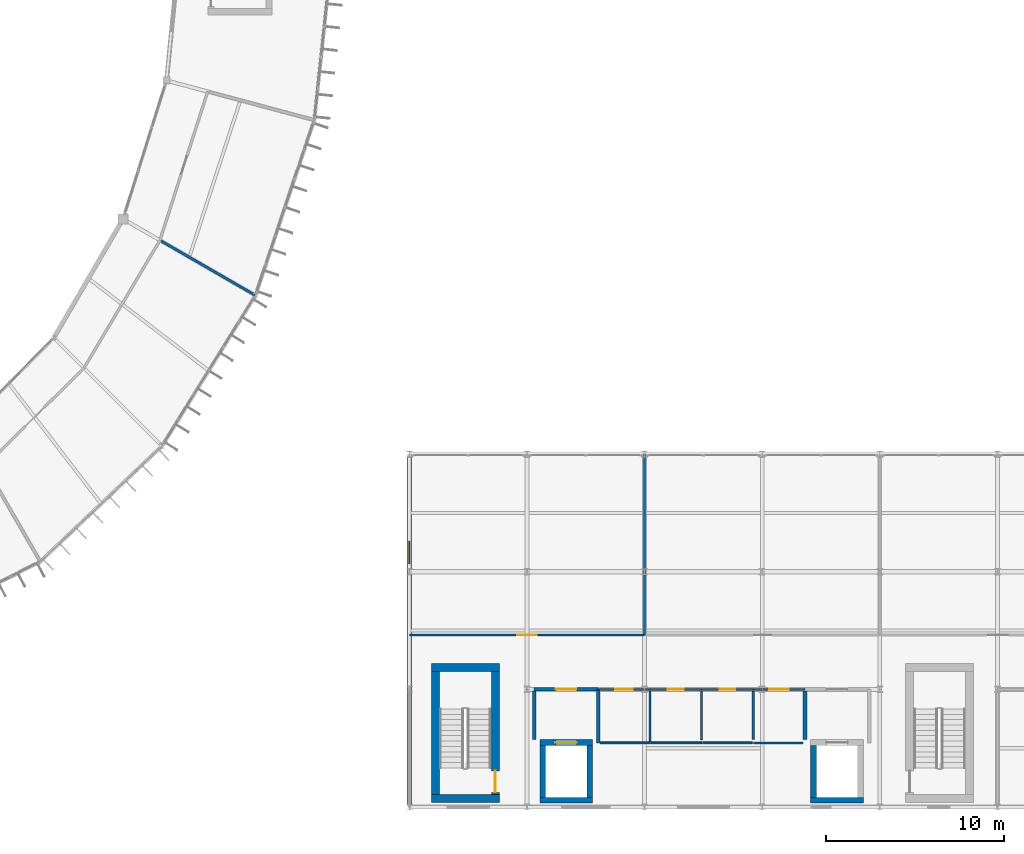
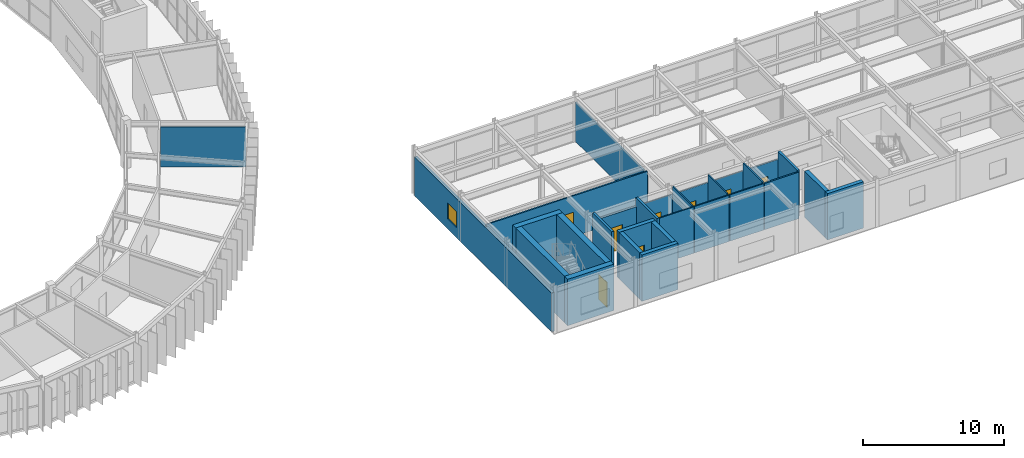
# One storey, part 92 of 106: 29 walls, 8 doors, 1 window, 9 openings.
"""IFC4 building model written with IfcOpenShell, lengths in metres."""

from ifc_helpers import new_model, si_unit, direction, frame, frame_2d, origin, place, context, subcontext, project, spatial, rectangle, extrude, material, layer, layer_set, type_object, element, fill, save


model = new_model("IFC4")

# Units and contexts
model_context = context("Model", 3, precision=1e-05, world=origin(), true_north=direction((0.0, 1.0)))
body_context = subcontext(model_context, "Body", "Model", "MODEL_VIEW")
ifc_project = project(units=[si_unit("LENGTHUNIT", "METRE"), si_unit("AREAUNIT", "SQUARE_METRE"), si_unit("VOLUMEUNIT", "CUBIC_METRE"), si_unit("PLANEANGLEUNIT", "RADIAN"), si_unit("MASSUNIT", "GRAM", prefix="KILO")], contexts=[model_context])

# Site, building, storey
site_placement = place(None, origin())
site = spatial("IfcSite", under=ifc_project, at=site_placement, CompositionType="ELEMENT")
building_placement = place(site_placement, origin())
building = spatial("IfcBuilding", under=site, at=building_placement, Name="Karori Crest Natural Sciences Institute", CompositionType="ELEMENT")
storey_placement = place(building_placement, frame((0.0, 0.0, 25.89990234375)))
storey = spatial("IfcBuildingStorey", under=building, at=storey_placement, Name="L06", CompositionType="ELEMENT", Elevation=25.89990234375)

# Walls
ifc_material_1 = material(Name="Concrete 50 MPa", Category="concrete")
ifc_layer_1 = layer(ifc_material_1, 0.449951171875, Name="Concrete 50 MPa")
ifc_layer_set_1 = layer_set([ifc_layer_1], Name="Concrete 50 MPa")
wall_type_1 = type_object("IfcWallType", Name="IWT-01", PredefinedType="SHEAR", material=ifc_layer_set_1)
for number, where, z_axis, x_axis, name in (
    (1, (104.85009765625, 1.27490234375, 0.0), (0.0, 0.0, 1.0), (1.0, 0.0, 0.0), "Shear wall IW-0097"),
    (2, (104.85009765625, 8.625, 0.0), (0.0, 0.0, 1.0), (1.0, 0.0, 0.0), "Shear wall IW-0098"),
):
    element("IfcWall", number, at=place(storey_placement, frame(where, z_axis=z_axis, x_axis=x_axis)), inside=storey, type_object=wall_type_1, Name=name, PredefinedType="SHEAR", context=body_context, shape_type="SweptSolid", body=[
        extrude(rectangle(XDim=3.7998046875, YDim=0.449951171875, at=frame_2d((1.89990234375, 0.0))), origin(), (0.0, 0.0, 1.0), 4.02001953125),
    ])
wall_1_placement = place(storey_placement, frame((105.074951171875, 1.501953125, 0.0), z_axis=(0.0, 0.0, 1.0), x_axis=(0.0, 1.0, 0.0)))
element("IfcWall", 3, at=wall_1_placement, inside=storey, type_object=wall_type_1, Name="Shear wall IW-0099", PredefinedType="SHEAR", context=body_context, shape_type="SweptSolid", body=[
    extrude(rectangle(XDim=6.89599609375, YDim=0.449951171875, at=frame_2d((3.447998046875, 0.0))), origin(), (0.0, 0.0, 1.0), 4.02001953125),
])

# Wall, opening, door
wall_2_placement = place(storey_placement, frame((108.425048828125, 1.501953125, 0.0), z_axis=(0.0, 0.0, 1.0), x_axis=(0.0, 1.0, 0.0)))
wall_2 = element("IfcWall", 4, at=wall_2_placement, inside=storey, type_object=wall_type_1, Name="Shear wall IW-0100", PredefinedType="SHEAR", context=body_context, shape_type="SweptSolid", body=[
    extrude(rectangle(XDim=6.89599609375, YDim=0.449951171875, at=frame_2d((3.447998046875, 0.0))), origin(), (0.0, 0.0, 1.0), 4.02001953125),
])
opening_1_placement = place(wall_2_placement, frame((0.1201171875, 0.0, 0.0)))
opening_1 = element("IfcOpeningElement", 5, at=opening_1_placement, cuts=wall_2, Name="Opening ID-0025", PredefinedType="OPENING", context=body_context, shape_type="SweptSolid", body=[
    extrude(rectangle(XDim=1.199951171875, YDim=2.14990234375, at=frame_2d((0.60009765625, 1.074951171875))), frame((0.0, 0.23486328125, 0.0), z_axis=(0.0, -1.0, 0.0), x_axis=(1.0, 0.0, 0.0)), (0.0, 0.0, 1.0), 0.469970703125),
])
ifc_material_2 = material(Name="Stainless steel 316 and fire-rated timber", Category="steel")
door_type_1 = type_object("IfcDoorType", Name="IDT-01", OperationType="NOTDEFINED", PredefinedType="DOOR", material=ifc_material_2)
door_1_placement = place(opening_1_placement, origin())
door_1 = element("IfcDoor", 6, at=door_1_placement, inside=storey, type_object=door_type_1, Name="Stair ST-03 fire door ID-0025", OperationType="SINGLE_SWING_LEFT", OverallHeight=2.14990234375, OverallWidth=1.199951171875, PredefinedType="DOOR", context=body_context, shape_type="SweptSolid", body=[
    extrude(rectangle(XDim=1.199951171875, YDim=2.14990234375, at=frame_2d((0.60009765625, 1.074951171875))), frame((0.0, 0.02490234375, 0.0), z_axis=(0.0, -1.0, 0.0), x_axis=(1.0, 0.0, 0.0)), (0.0, 0.0, 1.0), 0.050048828125),
])
fill(opening_1, door_1)

# Wall
ifc_layer_2 = layer(ifc_material_1, 0.320068359375, Name="Concrete 50 MPa")
ifc_layer_set_2 = layer_set([ifc_layer_2], Name="Concrete 50 MPa")
wall_type_2 = type_object("IfcWallType", Name="IWT-03", PredefinedType="SHEAR", material=ifc_layer_set_2)
wall_3_placement = place(storey_placement, frame((110.919921875, 1.179931640625, 0.0), z_axis=(0.0, 0.0, 1.0), x_axis=(1.0, 0.0, 0.0)))
element("IfcWall", 7, at=wall_3_placement, inside=storey, type_object=wall_type_2, Name="Shear wall IW-0333", PredefinedType="SHEAR", context=body_context, shape_type="SweptSolid", body=[
    extrude(rectangle(XDim=2.9599609375, YDim=0.320068359375, at=frame_2d((1.47998046875, 0.0))), origin(), (0.0, 0.0, 1.0), 4.02001953125),
])

# Wall, opening, door
wall_4_placement = place(storey_placement, frame((110.919921875, 4.419921875, 0.0), z_axis=(0.0, 0.0, 1.0), x_axis=(1.0, 0.0, 0.0)))
wall_4 = element("IfcWall", 8, at=wall_4_placement, inside=storey, type_object=wall_type_2, Name="Shear wall IW-0334", PredefinedType="SHEAR", context=body_context, shape_type="SweptSolid", body=[
    extrude(rectangle(XDim=2.9599609375, YDim=0.320068359375, at=frame_2d((1.47998046875, 0.0))), origin(), (0.0, 0.0, 1.0), 4.02001953125),
])
opening_2_placement = place(wall_4_placement, frame((0.8798828125, 0.0, 0.0)))
opening_2 = element("IfcOpeningElement", 9, at=opening_2_placement, cuts=wall_4, Name="Opening LD-0008", PredefinedType="OPENING", context=body_context, shape_type="SweptSolid", body=[
    extrude(rectangle(XDim=1.199951171875, YDim=2.199951171875, at=frame_2d((0.60009765625, 1.10009765625))), frame((0.0, 0.169921875, 0.0), z_axis=(0.0, -1.0, 0.0), x_axis=(1.0, 0.0, 0.0)), (0.0, 0.0, 1.0), 0.340087890625),
])
door_type_2 = type_object("IfcDoorType", Name="LDT-02", OperationType="SLIDING_TO_LEFT", PredefinedType="DOOR", material=ifc_material_2)
door_2_placement = place(opening_2_placement, origin())
door_2 = element("IfcDoor", 10, at=door_2_placement, inside=storey, type_object=door_type_2, Name="Lift LF-01 landing door LD-0008", OperationType="SLIDING_TO_LEFT", OverallHeight=2.199951171875, OverallWidth=1.199951171875, PredefinedType="DOOR", context=body_context, shape_type="SweptSolid", body=[
    extrude(rectangle(XDim=1.199951171875, YDim=2.199951171875, at=frame_2d((0.60009765625, 1.10009765625))), frame((0.0, 0.02490234375, 0.0), z_axis=(0.0, -1.0, 0.0), x_axis=(1.0, 0.0, 0.0)), (0.0, 0.0, 1.0), 0.050048828125),
])
fill(opening_2, door_2)

# Walls
for number, where, z_axis, x_axis, name in (
    (11, (111.080078125, 1.342041015625, 0.0), (0.0, 0.0, 1.0), (0.0, 1.0, 0.0), "Shear wall IW-0335"),
    (12, (113.719970703125, 1.342041015625, 0.0), (0.0, 0.0, 1.0), (0.0, 1.0, 0.0), "Shear wall IW-0336"),
):
    element("IfcWall", number, at=place(storey_placement, frame(where, z_axis=z_axis, x_axis=x_axis)), inside=storey, type_object=wall_type_2, Name=name, PredefinedType="SHEAR", context=body_context, shape_type="SweptSolid", body=[
        extrude(rectangle(XDim=2.916015625, YDim=0.320068359375, at=frame_2d((1.4580078125, 0.0))), origin(), (0.0, 0.0, 1.0), 4.02001953125),
    ])
wall_5_placement = place(storey_placement, frame((126.1201171875, 1.179931640625, 0.0), z_axis=(0.0, 0.0, 1.0), x_axis=(1.0, 0.0, 0.0)))
element("IfcWall", 13, at=wall_5_placement, inside=storey, type_object=wall_type_2, Name="Shear wall IW-0381", PredefinedType="SHEAR", context=body_context, shape_type="SweptSolid", body=[
    extrude(rectangle(XDim=2.9599609375, YDim=0.320068359375, at=frame_2d((1.47998046875, 0.0))), origin(), (0.0, 0.0, 1.0), 4.02001953125),
])
wall_6_placement = place(storey_placement, frame((126.280029296875, 1.342041015625, 0.0), z_axis=(0.0, 0.0, 1.0), x_axis=(0.0, 1.0, 0.0)))
element("IfcWall", 14, at=wall_6_placement, inside=storey, type_object=wall_type_2, Name="Shear wall IW-0383", PredefinedType="SHEAR", context=body_context, shape_type="SweptSolid", body=[
    extrude(rectangle(XDim=2.916015625, YDim=0.320068359375, at=frame_2d((1.4580078125, 0.0))), origin(), (0.0, 0.0, 1.0), 4.02001953125),
])

# Wall, opening, door
ifc_material_3 = material(Name="Concrete 40 MPa", Category="concrete")
ifc_layer_3 = layer(ifc_material_3, 0.199951171875, Name="Concrete 40 MPa")
ifc_layer_set_3 = layer_set([ifc_layer_3], Name="Concrete 40 MPa")
wall_type_3 = type_object("IfcWallType", Name="IWT-04", PredefinedType="SOLIDWALL", material=ifc_layer_set_3)
wall_7_placement = place(storey_placement, frame((110.60009765625, 7.39990234375, 0.0), z_axis=(0.0, 0.0, 1.0), x_axis=(1.0, 0.0, 0.0)))
wall_7 = element("IfcWall", 15, at=wall_7_placement, inside=storey, type_object=wall_type_3, Name="Partition wall IW-0752", PredefinedType="SOLIDWALL", context=body_context, shape_type="SweptSolid", body=[
    extrude(rectangle(XDim=3.599853515625, YDim=0.199951171875, at=frame_2d((1.7998046875, 0.0))), origin(), (0.0, 0.0, 1.0), 3.293212890625),
])
opening_3_placement = place(wall_7_placement, frame((1.22509765625, 0.0, 0.0)))
opening_3 = element("IfcOpeningElement", 16, at=opening_3_placement, cuts=wall_7, Name="Opening ID-0162", PredefinedType="OPENING", context=body_context, shape_type="SweptSolid", body=[
    extrude(rectangle(XDim=1.14990234375, YDim=2.14990234375, at=frame_2d((0.574951171875, 1.074951171875))), frame((0.0, 0.10986328125, 0.0), z_axis=(0.0, -1.0, 0.0), x_axis=(1.0, 0.0, 0.0)), (0.0, 0.0, 1.0), 0.219970703125),
])
door_type_3 = type_object("IfcDoorType", Name="IDT-02", OperationType="NOTDEFINED", PredefinedType="DOOR", material=ifc_material_2)
door_3_placement = place(opening_3_placement, origin())
door_3 = element("IfcDoor", 17, at=door_3_placement, inside=storey, type_object=door_type_3, Name="Firefighting Lift Lobby West door ID-0162", OperationType="SINGLE_SWING_RIGHT", OverallHeight=2.14990234375, OverallWidth=1.14990234375, PredefinedType="DOOR", context=body_context, shape_type="SweptSolid", body=[
    extrude(rectangle(XDim=1.14990234375, YDim=2.14990234375, at=frame_2d((0.574951171875, 1.074951171875))), frame((0.0, 0.02490234375, 0.0), z_axis=(0.0, -1.0, 0.0), x_axis=(1.0, 0.0, 0.0)), (0.0, 0.0, 1.0), 0.050048828125),
])
fill(opening_3, door_3)

# Walls
wall_8_placement = place(storey_placement, frame((110.60009765625, 4.58203125, 0.0), z_axis=(0.0, 0.0, 1.0), x_axis=(0.0, 1.0, 0.0)))
element("IfcWall", 18, at=wall_8_placement, inside=storey, type_object=wall_type_3, Name="Partition wall IW-0753", PredefinedType="SOLIDWALL", context=body_context, shape_type="SweptSolid", body=[
    extrude(rectangle(XDim=2.716064453125, YDim=0.199951171875, at=frame_2d((1.35791015625, 0.0))), origin(), (0.0, 0.0, 1.0), 4.02001953125),
])
wall_9_placement = place(storey_placement, frame((114.199951171875, 4.39990234375, 0.0), z_axis=(0.0, 0.0, 1.0), x_axis=(0.0, 1.0, 0.0)))
element("IfcWall", 19, at=wall_9_placement, inside=storey, type_object=wall_type_3, Name="Partition wall IW-0754", PredefinedType="SOLIDWALL", context=body_context, shape_type="SweptSolid", body=[
    extrude(rectangle(XDim=3.0, YDim=0.199951171875, at=frame_2d((1.5, 0.0))), origin(), (0.0, 0.0, 1.0), 4.02001953125),
])
wall_10_placement = place(storey_placement, frame((125.800048828125, 4.58203125, 0.0), z_axis=(0.0, 0.0, 1.0), x_axis=(0.0, 1.0, 0.0)))
element("IfcWall", 20, at=wall_10_placement, inside=storey, type_object=wall_type_3, Name="Partition wall IW-0756", PredefinedType="SOLIDWALL", context=body_context, shape_type="SweptSolid", body=[
    extrude(rectangle(XDim=2.716064453125, YDim=0.199951171875, at=frame_2d((1.35791015625, 0.0))), origin(), (0.0, 0.0, 1.0), 4.02001953125),
])
ifc_material_4 = material(Name="Laboratory acoustic drywall partition")
ifc_layer_4 = layer(ifc_material_4, 0.139892578125, Name="Laboratory acoustic drywall partition")
ifc_layer_set_4 = layer_set([ifc_layer_4], Name="Laboratory acoustic drywall partition")
wall_type_4 = type_object("IfcWallType", Name="IWT-07", PredefinedType="PARTITIONING", material=ifc_layer_set_4)
wall_11_placement = place(storey_placement, frame((89.6787109375, 32.56005859375, 0.0), z_axis=(0.0, 0.0, 1.0), x_axis=(0.866020543329, -0.500008418462, 0.0)))
element("IfcWall", 21, at=wall_11_placement, inside=storey, type_object=wall_type_4, Name="Partition wall IW-1416", PredefinedType="PARTITIONING", context=body_context, shape_type="SweptSolid", body=[
    extrude(rectangle(XDim=6.06005859375, YDim=0.139892578125, at=frame_2d((3.030029296875, 0.0))), origin(), (0.0, 0.0, 1.0), 3.47119140625),
])
ifc_material_5 = material(Name="Write-up office acoustic partition")
ifc_layer_5 = layer(ifc_material_5, 0.1201171875, Name="Write-up office acoustic partition")
ifc_layer_set_5 = layer_set([ifc_layer_5], Name="Write-up office acoustic partition")
wall_type_5 = type_object("IfcWallType", Name="IWT-08", PredefinedType="PARTITIONING", material=ifc_layer_set_5)
wall_12_placement = place(storey_placement, frame((122.89990234375, 4.39990234375, 0.0), z_axis=(0.0, 0.0, 1.0), x_axis=(1.0, 0.0, 0.0)))
element("IfcWall", 22, at=wall_12_placement, inside=storey, type_object=wall_type_5, Name="Partition wall IW-0758", PredefinedType="PARTITIONING", context=body_context, shape_type="SweptSolid", body=[
    extrude(rectangle(XDim=2.798095703125, YDim=0.1201171875, at=frame_2d((1.39892578125, 0.0))), origin(), (0.0, 0.0, 1.0), 4.02001953125),
])

# Wall, opening, door
wall_13_placement = place(storey_placement, frame((122.89990234375, 7.39990234375, 0.0), z_axis=(0.0, 0.0, 1.0), x_axis=(1.0, 0.0, 0.0)))
wall_13 = element("IfcWall", 23, at=wall_13_placement, inside=storey, type_object=wall_type_5, Name="Partition wall IW-0759", PredefinedType="PARTITIONING", context=body_context, shape_type="SweptSolid", body=[
    extrude(rectangle(XDim=2.898193359375, YDim=0.1201171875, at=frame_2d((1.44921875, 0.0))), origin(), (0.0, 0.0, 1.0), 3.293212890625),
])
opening_4_placement = place(wall_13_placement, frame((0.908935546875, 0.0, 0.0)))
opening_4 = element("IfcOpeningElement", 24, at=opening_4_placement, cuts=wall_13, Name="Opening ID-0164", PredefinedType="OPENING", context=body_context, shape_type="SweptSolid", body=[
    extrude(rectangle(XDim=1.080078125, YDim=2.1201171875, at=frame_2d((0.5400390625, 1.06005859375))), frame((0.0, 0.070068359375, 0.0), z_axis=(0.0, -1.0, 0.0), x_axis=(1.0, 0.0, 0.0)), (0.0, 0.0, 1.0), 0.14013671875),
])
ifc_material_6 = material(Name="Anodised aluminium and acoustic timber", Category="wood")
door_type_4 = type_object("IfcDoorType", Name="IDT-12", OperationType="NOTDEFINED", PredefinedType="DOOR", material=ifc_material_6)
door_4_placement = place(opening_4_placement, origin())
door_4 = element("IfcDoor", 25, at=door_4_placement, inside=storey, type_object=door_type_4, Name="Communications Server Room door ID-0164", OperationType="SINGLE_SWING_RIGHT", OverallHeight=2.1201171875, OverallWidth=1.080078125, PredefinedType="DOOR", context=body_context, shape_type="SweptSolid", body=[
    extrude(rectangle(XDim=1.080078125, YDim=2.1201171875, at=frame_2d((0.5400390625, 1.06005859375))), frame((0.0, 0.02490234375, 0.0), z_axis=(0.0, -1.0, 0.0), x_axis=(1.0, 0.0, 0.0)), (0.0, 0.0, 1.0), 0.050048828125),
])
fill(opening_4, door_4)

# Wall
wall_14_placement = place(storey_placement, frame((122.89990234375, 4.58203125, 0.0), z_axis=(0.0, 0.0, 1.0), x_axis=(0.0, 1.0, 0.0)))
element("IfcWall", 26, at=wall_14_placement, inside=storey, type_object=wall_type_5, Name="Partition wall IW-0760", PredefinedType="PARTITIONING", context=body_context, shape_type="SweptSolid", body=[
    extrude(rectangle(XDim=2.716064453125, YDim=0.1201171875, at=frame_2d((1.35791015625, 0.0))), origin(), (0.0, 0.0, 1.0), 4.02001953125),
])

# Wall, opening, door
wall_15_placement = place(storey_placement, frame((103.60009765625, 10.449951171875, 0.0), z_axis=(0.0, 0.0, 1.0), x_axis=(1.0, 0.0, 0.0)))
wall_15 = element("IfcWall", 27, at=wall_15_placement, inside=storey, type_object=wall_type_5, Name="Partition wall IW-0773", PredefinedType="PARTITIONING", context=body_context, shape_type="SweptSolid", body=[
    extrude(rectangle(XDim=13.199951171875, YDim=0.1201171875, at=frame_2d((6.60009765625, 0.0))), origin(), (0.0, 0.0, 1.0), 3.546142578125),
])
opening_5_placement = place(wall_15_placement, frame((6.06005859375, 0.0, 0.0)))
opening_5 = element("IfcOpeningElement", 28, at=opening_5_placement, cuts=wall_15, Name="Opening ID-0170", PredefinedType="OPENING", context=body_context, shape_type="SweptSolid", body=[
    extrude(rectangle(XDim=1.080078125, YDim=2.1201171875, at=frame_2d((0.5400390625, 1.06005859375))), frame((0.0, 0.070068359375, 0.0), z_axis=(0.0, -1.0, 0.0), x_axis=(1.0, 0.0, 0.0)), (0.0, 0.0, 1.0), 0.14013671875),
])
door_5_placement = place(opening_5_placement, origin())
door_5 = element("IfcDoor", 29, at=door_5_placement, inside=storey, type_object=door_type_4, Name="Write-Up Office door ID-0170", OperationType="SINGLE_SWING_RIGHT", OverallHeight=2.1201171875, OverallWidth=1.080078125, PredefinedType="DOOR", context=body_context, shape_type="SweptSolid", body=[
    extrude(rectangle(XDim=1.080078125, YDim=2.1201171875, at=frame_2d((0.5400390625, 1.06005859375))), frame((0.0, 0.02490234375, 0.0), z_axis=(0.0, -1.0, 0.0), x_axis=(1.0, 0.0, 0.0)), (0.0, 0.0, 1.0), 0.050048828125),
])
fill(opening_5, door_5)

# Walls
wall_16_placement = place(storey_placement, frame((116.800048828125, 10.449951171875, 0.0), z_axis=(0.0, 0.0, 1.0), x_axis=(0.0, 1.0, 0.0)))
element("IfcWall", 30, at=wall_16_placement, inside=storey, type_object=wall_type_5, Name="Partition wall IW-0774", PredefinedType="PARTITIONING", context=body_context, shape_type="SweptSolid", body=[
    extrude(rectangle(XDim=10.150146484375, YDim=0.1201171875, at=frame_2d((5.0751953125, 0.0))), origin(), (0.0, 0.0, 1.0), 3.3720703125),
])
ifc_material_7 = material(Name="Washroom moisture-resistant partition")
ifc_layer_6 = layer(ifc_material_7, 0.10009765625, Name="Washroom moisture-resistant partition")
ifc_layer_set_6 = layer_set([ifc_layer_6], Name="Washroom moisture-resistant partition")
wall_type_6 = type_object("IfcWallType", Name="IWT-09", PredefinedType="PARTITIONING", material=ifc_layer_set_6)
wall_17_placement = place(storey_placement, frame((114.302001953125, 4.39990234375, 0.0), z_axis=(0.0, 0.0, 1.0), x_axis=(1.0, 0.0, 0.0)))
element("IfcWall", 31, at=wall_17_placement, inside=storey, type_object=wall_type_6, Name="Partition wall IW-0761", PredefinedType="PARTITIONING", context=body_context, shape_type="SweptSolid", body=[
    extrude(rectangle(XDim=2.798095703125, YDim=0.10009765625, at=frame_2d((1.39892578125, 0.0))), origin(), (0.0, 0.0, 1.0), 4.02001953125),
])

# Wall, opening, door
wall_18_placement = place(storey_placement, frame((114.201904296875, 7.39990234375, 0.0), z_axis=(0.0, 0.0, 1.0), x_axis=(1.0, 0.0, 0.0)))
wall_18 = element("IfcWall", 32, at=wall_18_placement, inside=storey, type_object=wall_type_6, Name="Partition wall IW-0762", PredefinedType="PARTITIONING", context=body_context, shape_type="SweptSolid", body=[
    extrude(rectangle(XDim=2.898193359375, YDim=0.10009765625, at=frame_2d((1.44921875, 0.0))), origin(), (0.0, 0.0, 1.0), 3.293212890625),
])
opening_6_placement = place(wall_18_placement, frame((0.948974609375, 0.0, 0.0)))
opening_6 = element("IfcOpeningElement", 33, at=opening_6_placement, cuts=wall_18, Name="Opening ID-0165", PredefinedType="OPENING", context=body_context, shape_type="SweptSolid", body=[
    extrude(rectangle(XDim=1.0, YDim=2.10009765625, at=frame_2d((0.5, 1.050048828125))), frame((0.0, 0.06005859375, 0.0), z_axis=(0.0, -1.0, 0.0), x_axis=(1.0, 0.0, 0.0)), (0.0, 0.0, 1.0), 0.1201171875),
])
door_type_5 = type_object("IfcDoorType", Name="IDT-09", OperationType="NOTDEFINED", PredefinedType="DOOR", material=ifc_material_6)
door_6_placement = place(opening_6_placement, origin())
door_6 = element("IfcDoor", 34, at=door_6_placement, inside=storey, type_object=door_type_5, Name="Accessible WC door ID-0165", OperationType="SINGLE_SWING_LEFT", OverallHeight=2.10009765625, OverallWidth=1.0, PredefinedType="DOOR", context=body_context, shape_type="SweptSolid", body=[
    extrude(rectangle(XDim=1.0, YDim=2.10009765625, at=frame_2d((0.5, 1.050048828125))), frame((0.0, 0.02490234375, 0.0), z_axis=(0.0, -1.0, 0.0), x_axis=(1.0, 0.0, 0.0)), (0.0, 0.0, 1.0), 0.050048828125),
])
fill(opening_6, door_6)

# Walls
wall_19_placement = place(storey_placement, frame((117.10009765625, 4.4619140625, 0.0), z_axis=(0.0, 0.0, 1.0), x_axis=(0.0, 1.0, 0.0)))
element("IfcWall", 35, at=wall_19_placement, inside=storey, type_object=wall_type_6, Name="Partition wall IW-0763", PredefinedType="PARTITIONING", context=body_context, shape_type="SweptSolid", body=[
    extrude(rectangle(XDim=2.836181640625, YDim=0.10009765625, at=frame_2d((1.41796875, 0.0))), origin(), (0.0, 0.0, 1.0), 4.02001953125),
])
wall_20_placement = place(storey_placement, frame((117.152099609375, 4.39990234375, 0.0), z_axis=(0.0, 0.0, 1.0), x_axis=(1.0, 0.0, 0.0)))
element("IfcWall", 36, at=wall_20_placement, inside=storey, type_object=wall_type_6, Name="Partition wall IW-0764", PredefinedType="PARTITIONING", context=body_context, shape_type="SweptSolid", body=[
    extrude(rectangle(XDim=2.847900390625, YDim=0.10009765625, at=frame_2d((1.423828125, 0.0))), origin(), (0.0, 0.0, 1.0), 4.02001953125),
])

# Wall, opening, door
wall_21_placement = place(storey_placement, frame((117.10205078125, 7.39990234375, 0.0), z_axis=(0.0, 0.0, 1.0), x_axis=(1.0, 0.0, 0.0)))
wall_21 = element("IfcWall", 37, at=wall_21_placement, inside=storey, type_object=wall_type_6, Name="Partition wall IW-0765", PredefinedType="PARTITIONING", context=body_context, shape_type="SweptSolid", body=[
    extrude(rectangle(XDim=2.89794921875, YDim=0.10009765625, at=frame_2d((1.448974609375, 0.0))), origin(), (0.0, 0.0, 1.0), 3.293212890625),
])
opening_7_placement = place(wall_21_placement, frame((1.009033203125, 0.0, 0.0)))
opening_7 = element("IfcOpeningElement", 38, at=opening_7_placement, cuts=wall_21, Name="Opening ID-0166", PredefinedType="OPENING", context=body_context, shape_type="SweptSolid", body=[
    extrude(rectangle(XDim=0.8798828125, YDim=2.080078125, at=frame_2d((0.43994140625, 1.0400390625))), frame((0.0, 0.06005859375, 0.0), z_axis=(0.0, -1.0, 0.0), x_axis=(1.0, 0.0, 0.0)), (0.0, 0.0, 1.0), 0.1201171875),
])
door_type_6 = type_object("IfcDoorType", Name="IDT-10", OperationType="NOTDEFINED", PredefinedType="DOOR", material=ifc_material_6)
door_7_placement = place(opening_7_placement, origin())
door_7 = element("IfcDoor", 39, at=door_7_placement, inside=storey, type_object=door_type_6, Name="Female Washroom WC door ID-0166", OperationType="SINGLE_SWING_RIGHT", OverallHeight=2.080078125, OverallWidth=0.8798828125, PredefinedType="DOOR", context=body_context, shape_type="SweptSolid", body=[
    extrude(rectangle(XDim=0.8798828125, YDim=2.080078125, at=frame_2d((0.43994140625, 1.0400390625))), frame((0.0, 0.02490234375, 0.0), z_axis=(0.0, -1.0, 0.0), x_axis=(1.0, 0.0, 0.0)), (0.0, 0.0, 1.0), 0.050048828125),
])
fill(opening_7, door_7)

# Walls
wall_22_placement = place(storey_placement, frame((120.0, 4.58203125, 0.0), z_axis=(0.0, 0.0, 1.0), x_axis=(0.0, 1.0, 0.0)))
element("IfcWall", 40, at=wall_22_placement, inside=storey, type_object=wall_type_6, Name="Partition wall IW-0766", PredefinedType="PARTITIONING", context=body_context, shape_type="SweptSolid", body=[
    extrude(rectangle(XDim=2.716064453125, YDim=0.10009765625, at=frame_2d((1.35791015625, 0.0))), origin(), (0.0, 0.0, 1.0), 4.02001953125),
])
wall_23_placement = place(storey_placement, frame((120.052001953125, 4.39990234375, 0.0), z_axis=(0.0, 0.0, 1.0), x_axis=(1.0, 0.0, 0.0)))
element("IfcWall", 41, at=wall_23_placement, inside=storey, type_object=wall_type_6, Name="Partition wall IW-0767", PredefinedType="PARTITIONING", context=body_context, shape_type="SweptSolid", body=[
    extrude(rectangle(XDim=2.785888671875, YDim=0.10009765625, at=frame_2d((1.39306640625, 0.0))), origin(), (0.0, 0.0, 1.0), 4.02001953125),
])

# Wall, opening, door
wall_24_placement = place(storey_placement, frame((120.001953125, 7.39990234375, 0.0), z_axis=(0.0, 0.0, 1.0), x_axis=(1.0, 0.0, 0.0)))
wall_24 = element("IfcWall", 42, at=wall_24_placement, inside=storey, type_object=wall_type_6, Name="Partition wall IW-0768", PredefinedType="PARTITIONING", context=body_context, shape_type="SweptSolid", body=[
    extrude(rectangle(XDim=2.89599609375, YDim=0.10009765625, at=frame_2d((1.447998046875, 0.0))), origin(), (0.0, 0.0, 1.0), 3.293212890625),
])
opening_8_placement = place(wall_24_placement, frame((1.008056640625, 0.0, 0.0)))
opening_8 = element("IfcOpeningElement", 43, at=opening_8_placement, cuts=wall_24, Name="Opening ID-0167", PredefinedType="OPENING", context=body_context, shape_type="SweptSolid", body=[
    extrude(rectangle(XDim=0.8798828125, YDim=2.080078125, at=frame_2d((0.43994140625, 1.0400390625))), frame((0.0, 0.06005859375, 0.0), z_axis=(0.0, -1.0, 0.0), x_axis=(1.0, 0.0, 0.0)), (0.0, 0.0, 1.0), 0.1201171875),
])
door_8_placement = place(opening_8_placement, origin())
door_8 = element("IfcDoor", 44, at=door_8_placement, inside=storey, type_object=door_type_6, Name="Male Washroom WC door ID-0167", OperationType="SINGLE_SWING_LEFT", OverallHeight=2.080078125, OverallWidth=0.8798828125, PredefinedType="DOOR", context=body_context, shape_type="SweptSolid", body=[
    extrude(rectangle(XDim=0.8798828125, YDim=2.080078125, at=frame_2d((0.43994140625, 1.0400390625))), frame((0.0, 0.02490234375, 0.0), z_axis=(0.0, -1.0, 0.0), x_axis=(1.0, 0.0, 0.0)), (0.0, 0.0, 1.0), 0.050048828125),
])
fill(opening_8, door_8)

# Wall, opening, window
ifc_material_8 = material(Name="Precast concrete 40 MPa", Category="concrete")
ifc_layer_7 = layer(ifc_material_8, 0.239990234375, Name="Precast concrete 40 MPa")
ifc_layer_set_7 = layer_set([ifc_layer_7], Name="Precast concrete 40 MPa")
wall_type_7 = type_object("IfcWallType", Name="WT-04", PredefinedType="SOLIDWALL", material=ifc_layer_set_7)
wall_25_placement = place(storey_placement, frame((103.60009765625, 0.96142578125, 0.0), z_axis=(0.0, 0.0, 1.0), x_axis=(0.0, 1.0, 0.0)))
wall_25 = element("IfcWall", 45, at=wall_25_placement, inside=storey, type_object=wall_type_7, Name="Exterior wall EW-0212", PredefinedType="SOLIDWALL", context=body_context, shape_type="SweptSolid", body=[
    extrude(rectangle(XDim=19.47705078125, YDim=0.239990234375, at=frame_2d((9.738525390625, 0.0))), origin(), (0.0, 0.0, 1.0), 3.3720703125),
])
opening_9_placement = place(wall_25_placement, frame((13.5, 0.0, 0.85009765625)))
opening_9 = element("IfcOpeningElement", 46, at=opening_9_placement, cuts=wall_25, Name="Opening WN-0192", PredefinedType="OPENING", context=body_context, shape_type="SweptSolid", body=[
    extrude(rectangle(XDim=1.25, YDim=1.39990234375, at=frame_2d((0.625, 0.699951171875))), frame((0.0, 0.1298828125, 0.0), z_axis=(0.0, -1.0, 0.0), x_axis=(1.0, 0.0, 0.0)), (0.0, 0.0, 1.0), 0.260009765625),
])
ifc_material_9 = material(Name="Double low-E laminated glass", Category="glass")
window_type = type_object("IfcWindowType", Name="WNT-02", PartitioningType="SINGLE_PANEL", PredefinedType="WINDOW", material=ifc_material_9)
window_placement = place(opening_9_placement, origin())
window = element("IfcWindow", 47, at=window_placement, inside=storey, type_object=window_type, Name="Window WN-0192", OverallHeight=1.39990234375, OverallWidth=1.25, PartitioningType="SINGLE_PANEL", PredefinedType="WINDOW", context=body_context, shape_type="SweptSolid", body=[
    extrude(rectangle(XDim=1.25, YDim=1.39990234375, at=frame_2d((0.625, 0.699951171875))), frame((0.0, 0.030029296875, 0.0), z_axis=(0.0, -1.0, 0.0), x_axis=(1.0, 0.0, 0.0)), (0.0, 0.0, 1.0), 0.06005859375),
])
fill(opening_9, window)

save(model, "model.ifc")
